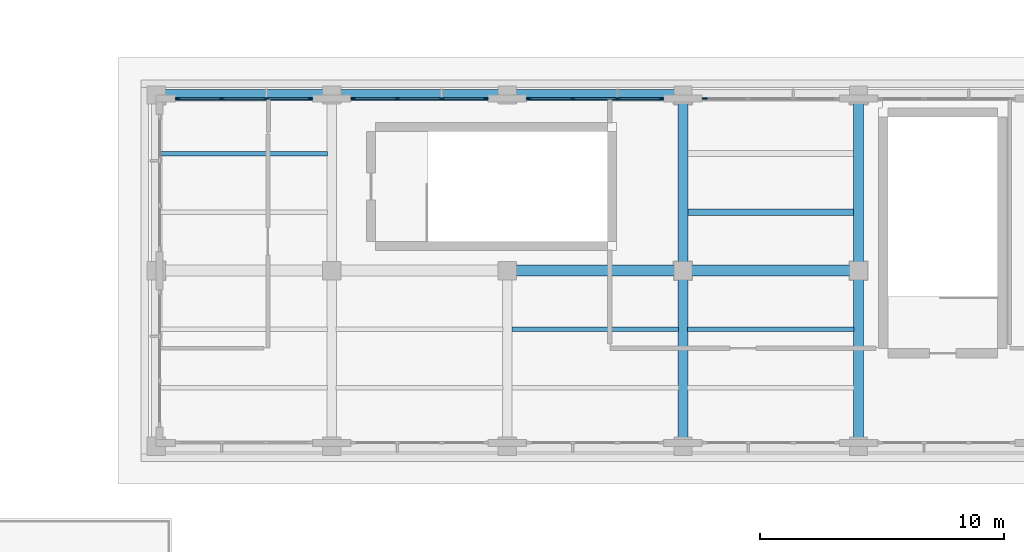
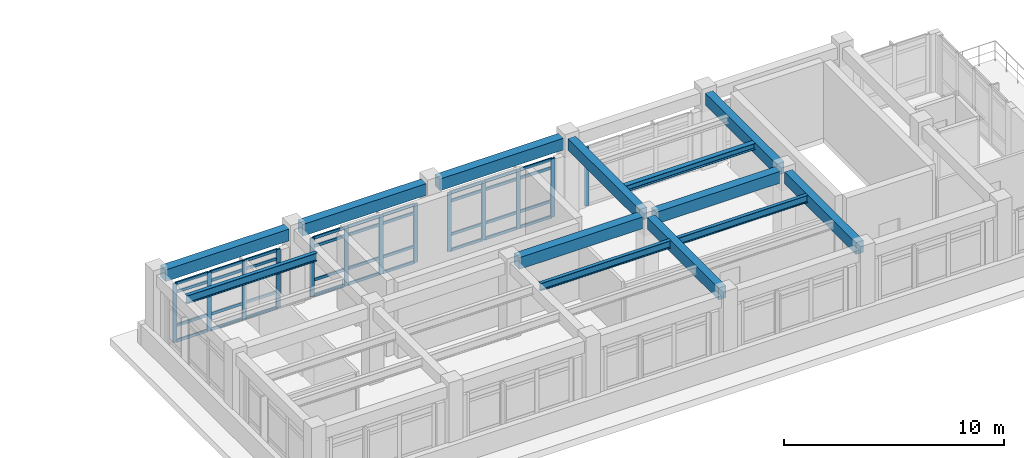
# One storey, part 16 of 64: 49 members, 13 beams, 4 elements without a shape of their own.
"""IFC4 building model written with IfcOpenShell, lengths in metres."""

from ifc_helpers import new_model, si_unit, direction, frame, origin, origin_2d, place, context, subcontext, project, spatial, rectangle, i_section, extrude, material, layer, layer_set, material_profile, profile_set, type_object, element, aggregate, save


model = new_model("IFC4")

# Units and contexts
model_context = context("Model", 3, precision=1e-05, world=origin(), true_north=direction((0.0, 1.0)))
body_context = subcontext(model_context, "Body", "Model", "MODEL_VIEW")
ifc_project = project(units=[si_unit("LENGTHUNIT", "METRE"), si_unit("AREAUNIT", "SQUARE_METRE"), si_unit("VOLUMEUNIT", "CUBIC_METRE"), si_unit("PLANEANGLEUNIT", "RADIAN"), si_unit("MASSUNIT", "GRAM", prefix="KILO")], contexts=[model_context])

# Site, building, storey
site_placement = place(None, origin())
site = spatial("IfcSite", under=ifc_project, at=site_placement, CompositionType="ELEMENT")
building_placement = place(site_placement, origin())
building = spatial("IfcBuilding", under=site, at=building_placement, Name="Solenvale Faculty of Natural Sciences", CompositionType="ELEMENT")
storey_placement = place(building_placement, frame((0.0, 0.0, 18.0)))
storey = spatial("IfcBuildingStorey", under=building, at=storey_placement, Name="L04", CompositionType="ELEMENT", Elevation=18.0)

# Beams
ifc_material_1 = material(Name="Concrete 40 MPa", Category="concrete")
ifc_material_profile_1 = material_profile(ifc_material_1, rectangle(XDim=0.39990234375, YDim=0.64990234375, at=origin_2d()), Name="RC-BM-400x650")
ifc_profile_set_1 = profile_set([ifc_material_profile_1], Name="Concrete 40 MPa")
beam_type_1 = type_object("IfcBeamType", Name="BM-RC-400x650", PredefinedType="BEAM", material=ifc_profile_set_1)
beam_1_placement = place(storey_placement, frame((136.800048828125, 43.554931640625, 3.89501953125), z_axis=(0.0, 1.0, 0.0), x_axis=(-1.0, 0.0, 0.0)))
element("IfcBeam", 1, at=beam_1_placement, inside=storey, type_object=beam_type_1, Name="L04 Y-Girder X136.8 (43.2..50.4)", PredefinedType="BEAM", context=body_context, shape_type="SweptSolid", body=[
    extrude(rectangle(XDim=0.39990234375, YDim=0.64990234375, at=origin_2d()), origin(), (0.0, 0.0, 1.0), 6.489990234375),
])
beam_2_placement = place(storey_placement, frame((136.800048828125, 50.7548828125, 3.89501953125), z_axis=(0.0, 1.0, 0.0), x_axis=(-1.0, 0.0, 0.0)))
element("IfcBeam", 2, at=beam_2_placement, inside=storey, type_object=beam_type_1, Name="L04 Y-Girder X136.8 (50.4..57.6)", PredefinedType="BEAM", context=body_context, shape_type="SweptSolid", body=[
    extrude(rectangle(XDim=0.39990234375, YDim=0.64990234375, at=origin_2d()), origin(), (0.0, 0.0, 1.0), 6.490234375),
])
beam_3_placement = place(storey_placement, frame((144.0, 43.554931640625, 3.89501953125), z_axis=(0.0, 1.0, 0.0), x_axis=(-1.0, 0.0, 0.0)))
element("IfcBeam", 3, at=beam_3_placement, inside=storey, type_object=beam_type_1, Name="L04 Y-Girder X144.0 (43.2..50.4)", PredefinedType="BEAM", context=body_context, shape_type="SweptSolid", body=[
    extrude(rectangle(XDim=0.39990234375, YDim=0.64990234375, at=origin_2d()), origin(), (0.0, 0.0, 1.0), 6.489990234375),
])
beam_4_placement = place(storey_placement, frame((144.0, 50.7548828125, 3.89501953125), z_axis=(0.0, 1.0, 0.0), x_axis=(-1.0, 0.0, 0.0)))
element("IfcBeam", 4, at=beam_4_placement, inside=storey, type_object=beam_type_1, Name="L04 Y-Girder X144.0 (50.4..57.6)", PredefinedType="BEAM", context=body_context, shape_type="SweptSolid", body=[
    extrude(rectangle(XDim=0.39990234375, YDim=0.64990234375, at=origin_2d()), origin(), (0.0, 0.0, 1.0), 6.490234375),
])
ifc_material_profile_2 = material_profile(ifc_material_1, rectangle(XDim=0.449951171875, YDim=0.64990234375, at=origin_2d()), Name="RC-BM-450x650")
ifc_profile_set_2 = profile_set([ifc_material_profile_2], Name="Concrete 40 MPa")
beam_type_2 = type_object("IfcBeamType", Name="BM-RC-450x650", PredefinedType="BEAM", material=ifc_profile_set_2)
for number, where, z_axis, x_axis, name in (
    (5, (129.955078125, 50.39990234375, 3.89501953125), (1.0, 0.0, 0.0), (0.0, 1.0, 0.0), "L04 X-Girder Y50.4 (129.6..136.8)"),
    (6, (137.155029296875, 50.39990234375, 3.89501953125), (1.0, 0.0, 0.0), (0.0, 1.0, 0.0), "L04 X-Girder Y50.4 (136.8..144.0)"),
    (7, (115.554931640625, 57.60009765625, 3.89501953125), (1.0, 0.0, 0.0), (0.0, 1.0, 0.0), "L04 X-Girder Y57.6 (115.2..122.4)"),
):
    element("IfcBeam", number, at=place(storey_placement, frame(where, z_axis=z_axis, x_axis=x_axis)), inside=storey, type_object=beam_type_2, Name=name, PredefinedType="BEAM", context=body_context, shape_type="SweptSolid", body=[
        extrude(rectangle(XDim=0.449951171875, YDim=0.64990234375, at=origin_2d()), origin(), (0.0, 0.0, 1.0), 6.489990234375),
    ])
beam_5_placement = place(storey_placement, frame((122.7548828125, 57.60009765625, 3.89501953125), z_axis=(1.0, 0.0, 0.0), x_axis=(0.0, 1.0, 0.0)))
element("IfcBeam", 8, at=beam_5_placement, inside=storey, type_object=beam_type_2, Name="L04 X-Girder Y57.6 (122.4..129.6)", PredefinedType="BEAM", context=body_context, shape_type="SweptSolid", body=[
    extrude(rectangle(XDim=0.449951171875, YDim=0.64990234375, at=origin_2d()), origin(), (0.0, 0.0, 1.0), 6.490234375),
])
beam_6_placement = place(storey_placement, frame((129.955078125, 57.60009765625, 3.89501953125), z_axis=(1.0, 0.0, 0.0), x_axis=(0.0, 1.0, 0.0)))
element("IfcBeam", 9, at=beam_6_placement, inside=storey, type_object=beam_type_2, Name="L04 X-Girder Y57.6 (129.6..136.8)", PredefinedType="BEAM", context=body_context, shape_type="SweptSolid", body=[
    extrude(rectangle(XDim=0.449951171875, YDim=0.64990234375, at=origin_2d()), origin(), (0.0, 0.0, 1.0), 6.489990234375),
])
ifc_material_2 = material(Name="Steel S355", Category="steel")
ifc_material_profile_3 = material_profile(ifc_material_2, i_section(OverallWidth=0.2548828125, OverallDepth=0.35693359375, WebThickness=0.010498046875, FlangeThickness=0.018310546875, FilletRadius=0.014892578125, at=origin_2d()), Name="W360x101")
ifc_profile_set_3 = profile_set([ifc_material_profile_3], Name="Steel S355")
beam_type_3 = type_object("IfcBeamType", Name="BM-STL-W360x101", PredefinedType="JOIST", material=ifc_profile_set_3)
beam_7_placement = place(storey_placement, frame((136.97998046875, 52.800048828125, 4.04150390625), z_axis=(1.0, 0.0, 0.0), x_axis=(0.0, 1.0, 0.0)))
element("IfcBeam", 10, at=beam_7_placement, inside=storey, type_object=beam_type_3, Name="L04 Composite Floor Joist (20,8).1", PredefinedType="JOIST", context=body_context, shape_type="SweptSolid", body=[
    extrude(i_section(OverallWidth=0.2548828125, OverallDepth=0.35693359375, WebThickness=0.010498046875, FlangeThickness=0.018310546875, FilletRadius=0.014892578125, at=origin_2d()), origin(), (0.0, 0.0, 1.0), 6.840087890625),
])
ifc_material_profile_4 = material_profile(ifc_material_2, i_section(OverallWidth=0.178955078125, OverallDepth=0.409912109375, WebThickness=0.0087890625, FlangeThickness=0.014404296875, FilletRadius=0.01611328125, at=origin_2d()), Name="W410x67")
ifc_profile_set_4 = profile_set([ifc_material_profile_4], Name="Steel S355")
beam_type_4 = type_object("IfcBeamType", Name="BM-STL-W410x67", PredefinedType="JOIST", material=ifc_profile_set_4)
beam_8_placement = place(storey_placement, frame((136.97998046875, 48.0, 4.014892578125), z_axis=(1.0, 0.0, 0.0), x_axis=(0.0, 1.0, 0.0)))
element("IfcBeam", 11, at=beam_8_placement, inside=storey, type_object=beam_type_4, Name="L04 Composite Floor Joist (20,7).2", PredefinedType="JOIST", context=body_context, shape_type="SweptSolid", body=[
    extrude(i_section(OverallWidth=0.178955078125, OverallDepth=0.409912109375, WebThickness=0.0087890625, FlangeThickness=0.014404296875, FilletRadius=0.01611328125, at=origin_2d()), origin(), (0.0, 0.0, 1.0), 6.840087890625),
])
ifc_material_profile_5 = material_profile(ifc_material_2, i_section(OverallWidth=0.180908203125, OverallDepth=0.4169921875, WebThickness=0.010986328125, FlangeThickness=0.018310546875, FilletRadius=0.01611328125, at=origin_2d()), Name="W410x85")
ifc_profile_set_5 = profile_set([ifc_material_profile_5], Name="Steel S355")
beam_type_5 = type_object("IfcBeamType", Name="BM-STL-W410x85", PredefinedType="JOIST", material=ifc_profile_set_5)
beam_9_placement = place(storey_placement, frame((129.780029296875, 48.0, 4.011474609375), z_axis=(1.0, 0.0, 0.0), x_axis=(0.0, 1.0, 0.0)))
element("IfcBeam", 12, at=beam_9_placement, inside=storey, type_object=beam_type_5, Name="L04 Composite Floor Joist (19,7).2", PredefinedType="JOIST", context=body_context, shape_type="SweptSolid", body=[
    extrude(i_section(OverallWidth=0.180908203125, OverallDepth=0.4169921875, WebThickness=0.010986328125, FlangeThickness=0.018310546875, FilletRadius=0.01611328125, at=origin_2d()), origin(), (0.0, 0.0, 1.0), 6.840087890625),
])
ifc_material_profile_6 = material_profile(ifc_material_2, i_section(OverallWidth=0.19091796875, OverallDepth=0.4599609375, WebThickness=0.010009765625, FlangeThickness=0.01611328125, FilletRadius=0.01806640625, at=origin_2d()), Name="W460x82")
ifc_profile_set_6 = profile_set([ifc_material_profile_6], Name="Steel S355")
beam_type_6 = type_object("IfcBeamType", Name="BM-STL-W460x82", PredefinedType="JOIST", material=ifc_profile_set_6)
beam_10_placement = place(storey_placement, frame((115.3798828125, 55.199951171875, 3.989990234375), z_axis=(1.0, 0.0, 0.0), x_axis=(0.0, 1.0, 0.0)))
element("IfcBeam", 13, at=beam_10_placement, inside=storey, type_object=beam_type_6, Name="L04 Composite Floor Joist (17,8).2", PredefinedType="JOIST", context=body_context, shape_type="SweptSolid", body=[
    extrude(i_section(OverallWidth=0.19091796875, OverallDepth=0.4599609375, WebThickness=0.010009765625, FlangeThickness=0.01611328125, FilletRadius=0.01806640625, at=origin_2d()), origin(), (0.0, 0.0, 1.0), 6.840087890625),
])

# Curtain wall, member
ifc_material_3 = material(Name="Anodised bronze aluminium", Category="aluminium")
ifc_layer = layer(ifc_material_3, 0.199951171875)
ifc_layer_set = layer_set([ifc_layer], Name="Anodised bronze aluminium")
curtain_wall_type = type_object("IfcCurtainWallType", Name="CW-COM-FIN", PredefinedType="USERDEFINED", material=ifc_layer_set)
curtain_wall_1_placement = place(storey_placement, origin())
curtain_wall_1 = element("IfcCurtainWall", 14, at=curtain_wall_1_placement, inside=storey, type_object=curtain_wall_type, Name="L04 Curtain Wall CW-L04-P2-E3-B3", ObjectType="UNITISED CURTAIN WALL", PredefinedType="USERDEFINED")
ifc_material_profile_7 = material_profile(ifc_material_3, rectangle(XDim=0.074951171875, YDim=0.2099609375, at=origin_2d()), Name="ALU-MUL-75x210")
ifc_profile_set_7 = profile_set([ifc_material_profile_7], Name="Anodised bronze aluminium")
member_type_1 = type_object("IfcMemberType", Name="CWM-ALU-75x210", PredefinedType="MULLION", material=ifc_profile_set_7)
member_1_placement = place(storey_placement, frame((137.6875, 57.45751953125, 0.0), z_axis=(0.0, 0.0, 1.0), x_axis=(0.0, -1.0, 0.0)))
member_1 = element("IfcMember", 15, at=member_1_placement, type_object=member_type_1, Name="CW-03 mullion 4", PredefinedType="MULLION", context=body_context, shape_type="SweptSolid", body=[
    extrude(rectangle(XDim=0.074951171875, YDim=0.2099609375, at=origin_2d()), origin(), (0.0, 0.0, 1.0), 3.260009765625),
])
aggregate(curtain_wall_1, [member_1])

# Curtain wall, members
curtain_wall_2_placement = place(storey_placement, origin())
curtain_wall_2 = element("IfcCurtainWall", 16, at=curtain_wall_2_placement, inside=storey, type_object=curtain_wall_type, Name="L04 Curtain Wall CW-L04-P2-E3-B4", ObjectType="UNITISED CURTAIN WALL", PredefinedType="USERDEFINED")
member_2_placement = place(storey_placement, frame((135.91259765625, 57.45751953125, 0.0), z_axis=(0.0, 0.0, 1.0), x_axis=(0.0, -1.0, 0.0)))
member_2 = element("IfcMember", 17, at=member_2_placement, type_object=member_type_1, Name="CW-03 mullion 1", PredefinedType="MULLION", context=body_context, shape_type="SweptSolid", body=[
    extrude(rectangle(XDim=0.074951171875, YDim=0.2099609375, at=origin_2d()), origin(), (0.0, 0.0, 1.0), 3.260009765625),
])
member_3_placement = place(storey_placement, frame((134.11669921875, 57.45751953125, 0.0), z_axis=(0.0, 0.0, 1.0), x_axis=(0.0, -1.0, 0.0)))
member_3 = element("IfcMember", 18, at=member_3_placement, type_object=member_type_1, Name="CW-03 mullion 2", PredefinedType="MULLION", context=body_context, shape_type="SweptSolid", body=[
    extrude(rectangle(XDim=0.074951171875, YDim=0.2099609375, at=origin_2d()), origin(), (0.0, 0.0, 1.0), 3.260009765625),
])
member_4_placement = place(storey_placement, frame((132.283447265625, 57.45751953125, 0.0), z_axis=(0.0, 0.0, 1.0), x_axis=(0.0, -1.0, 0.0)))
member_4 = element("IfcMember", 19, at=member_4_placement, type_object=member_type_1, Name="CW-03 mullion 3", PredefinedType="MULLION", context=body_context, shape_type="SweptSolid", body=[
    extrude(rectangle(XDim=0.074951171875, YDim=0.2099609375, at=origin_2d()), origin(), (0.0, 0.0, 1.0), 3.260009765625),
])
member_5_placement = place(storey_placement, frame((130.487548828125, 57.45751953125, 0.0), z_axis=(0.0, 0.0, 1.0), x_axis=(0.0, -1.0, 0.0)))
member_5 = element("IfcMember", 20, at=member_5_placement, type_object=member_type_1, Name="CW-03 mullion 4", PredefinedType="MULLION", context=body_context, shape_type="SweptSolid", body=[
    extrude(rectangle(XDim=0.074951171875, YDim=0.2099609375, at=origin_2d()), origin(), (0.0, 0.0, 1.0), 3.260009765625),
])

curtain_wall_3_placement = place(storey_placement, origin())
curtain_wall_3 = element("IfcCurtainWall", 21, at=curtain_wall_3_placement, inside=storey, type_object=curtain_wall_type, Name="L04 Curtain Wall CW-L04-P2-E3-B5", ObjectType="UNITISED CURTAIN WALL", PredefinedType="USERDEFINED")
member_6_placement = place(storey_placement, frame((128.71240234375, 57.45751953125, 0.0), z_axis=(0.0, 0.0, 1.0), x_axis=(0.0, -1.0, 0.0)))
member_6 = element("IfcMember", 22, at=member_6_placement, type_object=member_type_1, Name="CW-03 mullion 1", PredefinedType="MULLION", context=body_context, shape_type="SweptSolid", body=[
    extrude(rectangle(XDim=0.074951171875, YDim=0.2099609375, at=origin_2d()), origin(), (0.0, 0.0, 1.0), 3.260009765625),
])
member_7_placement = place(storey_placement, frame((126.916748046875, 57.45751953125, 0.0), z_axis=(0.0, 0.0, 1.0), x_axis=(0.0, -1.0, 0.0)))
member_7 = element("IfcMember", 23, at=member_7_placement, type_object=member_type_1, Name="CW-03 mullion 2", PredefinedType="MULLION", context=body_context, shape_type="SweptSolid", body=[
    extrude(rectangle(XDim=0.074951171875, YDim=0.2099609375, at=origin_2d()), origin(), (0.0, 0.0, 1.0), 3.260009765625),
])
member_8_placement = place(storey_placement, frame((125.083251953125, 57.45751953125, 0.0), z_axis=(0.0, 0.0, 1.0), x_axis=(0.0, -1.0, 0.0)))
member_8 = element("IfcMember", 24, at=member_8_placement, type_object=member_type_1, Name="CW-03 mullion 3", PredefinedType="MULLION", context=body_context, shape_type="SweptSolid", body=[
    extrude(rectangle(XDim=0.074951171875, YDim=0.2099609375, at=origin_2d()), origin(), (0.0, 0.0, 1.0), 3.260009765625),
])
member_9_placement = place(storey_placement, frame((123.28759765625, 57.45751953125, 0.0), z_axis=(0.0, 0.0, 1.0), x_axis=(0.0, -1.0, 0.0)))
member_9 = element("IfcMember", 25, at=member_9_placement, type_object=member_type_1, Name="CW-03 mullion 4", PredefinedType="MULLION", context=body_context, shape_type="SweptSolid", body=[
    extrude(rectangle(XDim=0.074951171875, YDim=0.2099609375, at=origin_2d()), origin(), (0.0, 0.0, 1.0), 3.260009765625),
])

curtain_wall_4_placement = place(storey_placement, origin())
curtain_wall_4 = element("IfcCurtainWall", 26, at=curtain_wall_4_placement, inside=storey, type_object=curtain_wall_type, Name="L04 Curtain Wall CW-L04-P2-E3-B6", ObjectType="UNITISED CURTAIN WALL", PredefinedType="USERDEFINED")
member_10_placement = place(storey_placement, frame((121.512451171875, 57.45751953125, 0.0), z_axis=(0.0, 0.0, 1.0), x_axis=(0.0, -1.0, 0.0)))
member_10 = element("IfcMember", 27, at=member_10_placement, type_object=member_type_1, Name="CW-03 mullion 1", PredefinedType="MULLION", context=body_context, shape_type="SweptSolid", body=[
    extrude(rectangle(XDim=0.074951171875, YDim=0.2099609375, at=origin_2d()), origin(), (0.0, 0.0, 1.0), 3.260009765625),
])
member_11_placement = place(storey_placement, frame((119.716552734375, 57.45751953125, 0.0), z_axis=(0.0, 0.0, 1.0), x_axis=(0.0, -1.0, 0.0)))
member_11 = element("IfcMember", 28, at=member_11_placement, type_object=member_type_1, Name="CW-03 mullion 2", PredefinedType="MULLION", context=body_context, shape_type="SweptSolid", body=[
    extrude(rectangle(XDim=0.074951171875, YDim=0.2099609375, at=origin_2d()), origin(), (0.0, 0.0, 1.0), 3.260009765625),
])
member_12_placement = place(storey_placement, frame((117.88330078125, 57.45751953125, 0.0), z_axis=(0.0, 0.0, 1.0), x_axis=(0.0, -1.0, 0.0)))
member_12 = element("IfcMember", 29, at=member_12_placement, type_object=member_type_1, Name="CW-03 mullion 3", PredefinedType="MULLION", context=body_context, shape_type="SweptSolid", body=[
    extrude(rectangle(XDim=0.074951171875, YDim=0.2099609375, at=origin_2d()), origin(), (0.0, 0.0, 1.0), 3.260009765625),
])
member_13_placement = place(storey_placement, frame((116.08740234375, 57.45751953125, 0.0), z_axis=(0.0, 0.0, 1.0), x_axis=(0.0, -1.0, 0.0)))
member_13 = element("IfcMember", 30, at=member_13_placement, type_object=member_type_1, Name="CW-03 mullion 4", PredefinedType="MULLION", context=body_context, shape_type="SweptSolid", body=[
    extrude(rectangle(XDim=0.074951171875, YDim=0.2099609375, at=origin_2d()), origin(), (0.0, 0.0, 1.0), 3.260009765625),
])

# Member
ifc_material_profile_8 = material_profile(ifc_material_3, rectangle(XDim=0.074951171875, YDim=0.155029296875, at=origin_2d()), Name="ALU-TRN-75x155")
ifc_profile_set_8 = profile_set([ifc_material_profile_8], Name="Anodised bronze aluminium")
member_type_2 = type_object("IfcMemberType", Name="CWT-ALU-75x155", PredefinedType="USERDEFINED", material=ifc_profile_set_8)
member_14_placement = place(storey_placement, frame((135.875, 57.45751953125, 0.03759765625), z_axis=(-1.0, 0.0, 0.0), x_axis=(0.0, -1.0, 0.0)))
member_14 = element("IfcMember", 31, at=member_14_placement, type_object=member_type_2, Name="CW-03 transom 1.1", ObjectType="TRANSOM", PredefinedType="USERDEFINED", context=body_context, shape_type="SweptSolid", body=[
    extrude(rectangle(XDim=0.074951171875, YDim=0.155029296875, at=origin_2d()), origin(), (0.0, 0.0, 1.0), 1.720947265625),
])

member_15_placement = place(storey_placement, frame((135.875, 57.45751953125, 0.89990234375), z_axis=(-1.0, 0.0, 0.0), x_axis=(0.0, -1.0, 0.0)))
member_15 = element("IfcMember", 32, at=member_15_placement, type_object=member_type_2, Name="CW-03 transom 1.2", ObjectType="TRANSOM", PredefinedType="USERDEFINED", context=body_context, shape_type="SweptSolid", body=[
    extrude(rectangle(XDim=0.074951171875, YDim=0.155029296875, at=origin_2d()), origin(), (0.0, 0.0, 1.0), 1.720947265625),
])

member_16_placement = place(storey_placement, frame((135.875, 57.45751953125, 2.760009765625), z_axis=(-1.0, 0.0, 0.0), x_axis=(0.0, -1.0, 0.0)))
member_16 = element("IfcMember", 33, at=member_16_placement, type_object=member_type_2, Name="CW-03 transom 1.3", ObjectType="TRANSOM", PredefinedType="USERDEFINED", context=body_context, shape_type="SweptSolid", body=[
    extrude(rectangle(XDim=0.074951171875, YDim=0.155029296875, at=origin_2d()), origin(), (0.0, 0.0, 1.0), 1.720947265625),
])

member_17_placement = place(storey_placement, frame((135.875, 57.45751953125, 3.222412109375), z_axis=(-1.0, 0.0, 0.0), x_axis=(0.0, -1.0, 0.0)))
member_17 = element("IfcMember", 34, at=member_17_placement, type_object=member_type_2, Name="CW-03 transom 1.4", ObjectType="TRANSOM", PredefinedType="USERDEFINED", context=body_context, shape_type="SweptSolid", body=[
    extrude(rectangle(XDim=0.074951171875, YDim=0.155029296875, at=origin_2d()), origin(), (0.0, 0.0, 1.0), 1.720947265625),
])

member_18_placement = place(storey_placement, frame((134.0791015625, 57.45751953125, 0.03759765625), z_axis=(-1.0, 0.0, 0.0), x_axis=(0.0, -1.0, 0.0)))
member_18 = element("IfcMember", 35, at=member_18_placement, type_object=member_type_2, Name="CW-03 transom 2.1", ObjectType="TRANSOM", PredefinedType="USERDEFINED", context=body_context, shape_type="SweptSolid", body=[
    extrude(rectangle(XDim=0.074951171875, YDim=0.155029296875, at=origin_2d()), origin(), (0.0, 0.0, 1.0), 1.75830078125),
])

member_19_placement = place(storey_placement, frame((134.0791015625, 57.45751953125, 0.89990234375), z_axis=(-1.0, 0.0, 0.0), x_axis=(0.0, -1.0, 0.0)))
member_19 = element("IfcMember", 36, at=member_19_placement, type_object=member_type_2, Name="CW-03 transom 2.2", ObjectType="TRANSOM", PredefinedType="USERDEFINED", context=body_context, shape_type="SweptSolid", body=[
    extrude(rectangle(XDim=0.074951171875, YDim=0.155029296875, at=origin_2d()), origin(), (0.0, 0.0, 1.0), 1.75830078125),
])

member_20_placement = place(storey_placement, frame((134.0791015625, 57.45751953125, 2.760009765625), z_axis=(-1.0, 0.0, 0.0), x_axis=(0.0, -1.0, 0.0)))
member_20 = element("IfcMember", 37, at=member_20_placement, type_object=member_type_2, Name="CW-03 transom 2.3", ObjectType="TRANSOM", PredefinedType="USERDEFINED", context=body_context, shape_type="SweptSolid", body=[
    extrude(rectangle(XDim=0.074951171875, YDim=0.155029296875, at=origin_2d()), origin(), (0.0, 0.0, 1.0), 1.75830078125),
])

member_21_placement = place(storey_placement, frame((134.0791015625, 57.45751953125, 3.222412109375), z_axis=(-1.0, 0.0, 0.0), x_axis=(0.0, -1.0, 0.0)))
member_21 = element("IfcMember", 38, at=member_21_placement, type_object=member_type_2, Name="CW-03 transom 2.4", ObjectType="TRANSOM", PredefinedType="USERDEFINED", context=body_context, shape_type="SweptSolid", body=[
    extrude(rectangle(XDim=0.074951171875, YDim=0.155029296875, at=origin_2d()), origin(), (0.0, 0.0, 1.0), 1.75830078125),
])

member_22_placement = place(storey_placement, frame((132.245849609375, 57.45751953125, 0.03759765625), z_axis=(-1.0, 0.0, 0.0), x_axis=(0.0, -1.0, 0.0)))
member_22 = element("IfcMember", 39, at=member_22_placement, type_object=member_type_2, Name="CW-03 transom 3.1", ObjectType="TRANSOM", PredefinedType="USERDEFINED", context=body_context, shape_type="SweptSolid", body=[
    extrude(rectangle(XDim=0.074951171875, YDim=0.155029296875, at=origin_2d()), origin(), (0.0, 0.0, 1.0), 1.720947265625),
])

member_23_placement = place(storey_placement, frame((132.245849609375, 57.45751953125, 0.89990234375), z_axis=(-1.0, 0.0, 0.0), x_axis=(0.0, -1.0, 0.0)))
member_23 = element("IfcMember", 40, at=member_23_placement, type_object=member_type_2, Name="CW-03 transom 3.2", ObjectType="TRANSOM", PredefinedType="USERDEFINED", context=body_context, shape_type="SweptSolid", body=[
    extrude(rectangle(XDim=0.074951171875, YDim=0.155029296875, at=origin_2d()), origin(), (0.0, 0.0, 1.0), 1.720947265625),
])

member_24_placement = place(storey_placement, frame((132.245849609375, 57.45751953125, 2.760009765625), z_axis=(-1.0, 0.0, 0.0), x_axis=(0.0, -1.0, 0.0)))
member_24 = element("IfcMember", 41, at=member_24_placement, type_object=member_type_2, Name="CW-03 transom 3.3", ObjectType="TRANSOM", PredefinedType="USERDEFINED", context=body_context, shape_type="SweptSolid", body=[
    extrude(rectangle(XDim=0.074951171875, YDim=0.155029296875, at=origin_2d()), origin(), (0.0, 0.0, 1.0), 1.720947265625),
])

member_25_placement = place(storey_placement, frame((132.245849609375, 57.45751953125, 3.222412109375), z_axis=(-1.0, 0.0, 0.0), x_axis=(0.0, -1.0, 0.0)))
member_25 = element("IfcMember", 42, at=member_25_placement, type_object=member_type_2, Name="CW-03 transom 3.4", ObjectType="TRANSOM", PredefinedType="USERDEFINED", context=body_context, shape_type="SweptSolid", body=[
    extrude(rectangle(XDim=0.074951171875, YDim=0.155029296875, at=origin_2d()), origin(), (0.0, 0.0, 1.0), 1.720947265625),
])

aggregate(curtain_wall_2, [member_2, member_3, member_4, member_5, member_14, member_15, member_16, member_17, member_18, member_19, member_20, member_21, member_22, member_23, member_24, member_25])

member_26_placement = place(storey_placement, frame((128.675048828125, 57.45751953125, 0.03759765625), z_axis=(-1.0, 0.0, 0.0), x_axis=(0.0, -1.0, 0.0)))
member_26 = element("IfcMember", 43, at=member_26_placement, type_object=member_type_2, Name="CW-03 transom 1.1", ObjectType="TRANSOM", PredefinedType="USERDEFINED", context=body_context, shape_type="SweptSolid", body=[
    extrude(rectangle(XDim=0.074951171875, YDim=0.155029296875, at=origin_2d()), origin(), (0.0, 0.0, 1.0), 1.720947265625),
])

member_27_placement = place(storey_placement, frame((128.675048828125, 57.45751953125, 0.89990234375), z_axis=(-1.0, 0.0, 0.0), x_axis=(0.0, -1.0, 0.0)))
member_27 = element("IfcMember", 44, at=member_27_placement, type_object=member_type_2, Name="CW-03 transom 1.2", ObjectType="TRANSOM", PredefinedType="USERDEFINED", context=body_context, shape_type="SweptSolid", body=[
    extrude(rectangle(XDim=0.074951171875, YDim=0.155029296875, at=origin_2d()), origin(), (0.0, 0.0, 1.0), 1.720947265625),
])

member_28_placement = place(storey_placement, frame((128.675048828125, 57.45751953125, 2.760009765625), z_axis=(-1.0, 0.0, 0.0), x_axis=(0.0, -1.0, 0.0)))
member_28 = element("IfcMember", 45, at=member_28_placement, type_object=member_type_2, Name="CW-03 transom 1.3", ObjectType="TRANSOM", PredefinedType="USERDEFINED", context=body_context, shape_type="SweptSolid", body=[
    extrude(rectangle(XDim=0.074951171875, YDim=0.155029296875, at=origin_2d()), origin(), (0.0, 0.0, 1.0), 1.720947265625),
])

member_29_placement = place(storey_placement, frame((128.675048828125, 57.45751953125, 3.222412109375), z_axis=(-1.0, 0.0, 0.0), x_axis=(0.0, -1.0, 0.0)))
member_29 = element("IfcMember", 46, at=member_29_placement, type_object=member_type_2, Name="CW-03 transom 1.4", ObjectType="TRANSOM", PredefinedType="USERDEFINED", context=body_context, shape_type="SweptSolid", body=[
    extrude(rectangle(XDim=0.074951171875, YDim=0.155029296875, at=origin_2d()), origin(), (0.0, 0.0, 1.0), 1.720947265625),
])

member_30_placement = place(storey_placement, frame((126.879150390625, 57.45751953125, 0.03759765625), z_axis=(-1.0, 0.0, 0.0), x_axis=(0.0, -1.0, 0.0)))
member_30 = element("IfcMember", 47, at=member_30_placement, type_object=member_type_2, Name="CW-03 transom 2.1", ObjectType="TRANSOM", PredefinedType="USERDEFINED", context=body_context, shape_type="SweptSolid", body=[
    extrude(rectangle(XDim=0.074951171875, YDim=0.155029296875, at=origin_2d()), origin(), (0.0, 0.0, 1.0), 1.75830078125),
])

member_31_placement = place(storey_placement, frame((126.879150390625, 57.45751953125, 0.89990234375), z_axis=(-1.0, 0.0, 0.0), x_axis=(0.0, -1.0, 0.0)))
member_31 = element("IfcMember", 48, at=member_31_placement, type_object=member_type_2, Name="CW-03 transom 2.2", ObjectType="TRANSOM", PredefinedType="USERDEFINED", context=body_context, shape_type="SweptSolid", body=[
    extrude(rectangle(XDim=0.074951171875, YDim=0.155029296875, at=origin_2d()), origin(), (0.0, 0.0, 1.0), 1.75830078125),
])

member_32_placement = place(storey_placement, frame((126.879150390625, 57.45751953125, 2.760009765625), z_axis=(-1.0, 0.0, 0.0), x_axis=(0.0, -1.0, 0.0)))
member_32 = element("IfcMember", 49, at=member_32_placement, type_object=member_type_2, Name="CW-03 transom 2.3", ObjectType="TRANSOM", PredefinedType="USERDEFINED", context=body_context, shape_type="SweptSolid", body=[
    extrude(rectangle(XDim=0.074951171875, YDim=0.155029296875, at=origin_2d()), origin(), (0.0, 0.0, 1.0), 1.75830078125),
])

member_33_placement = place(storey_placement, frame((126.879150390625, 57.45751953125, 3.222412109375), z_axis=(-1.0, 0.0, 0.0), x_axis=(0.0, -1.0, 0.0)))
member_33 = element("IfcMember", 50, at=member_33_placement, type_object=member_type_2, Name="CW-03 transom 2.4", ObjectType="TRANSOM", PredefinedType="USERDEFINED", context=body_context, shape_type="SweptSolid", body=[
    extrude(rectangle(XDim=0.074951171875, YDim=0.155029296875, at=origin_2d()), origin(), (0.0, 0.0, 1.0), 1.75830078125),
])

member_34_placement = place(storey_placement, frame((125.0458984375, 57.45751953125, 0.03759765625), z_axis=(-1.0, 0.0, 0.0), x_axis=(0.0, -1.0, 0.0)))
member_34 = element("IfcMember", 51, at=member_34_placement, type_object=member_type_2, Name="CW-03 transom 3.1", ObjectType="TRANSOM", PredefinedType="USERDEFINED", context=body_context, shape_type="SweptSolid", body=[
    extrude(rectangle(XDim=0.074951171875, YDim=0.155029296875, at=origin_2d()), origin(), (0.0, 0.0, 1.0), 1.720947265625),
])

member_35_placement = place(storey_placement, frame((125.0458984375, 57.45751953125, 0.89990234375), z_axis=(-1.0, 0.0, 0.0), x_axis=(0.0, -1.0, 0.0)))
member_35 = element("IfcMember", 52, at=member_35_placement, type_object=member_type_2, Name="CW-03 transom 3.2", ObjectType="TRANSOM", PredefinedType="USERDEFINED", context=body_context, shape_type="SweptSolid", body=[
    extrude(rectangle(XDim=0.074951171875, YDim=0.155029296875, at=origin_2d()), origin(), (0.0, 0.0, 1.0), 1.720947265625),
])

member_36_placement = place(storey_placement, frame((125.0458984375, 57.45751953125, 2.760009765625), z_axis=(-1.0, 0.0, 0.0), x_axis=(0.0, -1.0, 0.0)))
member_36 = element("IfcMember", 53, at=member_36_placement, type_object=member_type_2, Name="CW-03 transom 3.3", ObjectType="TRANSOM", PredefinedType="USERDEFINED", context=body_context, shape_type="SweptSolid", body=[
    extrude(rectangle(XDim=0.074951171875, YDim=0.155029296875, at=origin_2d()), origin(), (0.0, 0.0, 1.0), 1.720947265625),
])

member_37_placement = place(storey_placement, frame((125.0458984375, 57.45751953125, 3.222412109375), z_axis=(-1.0, 0.0, 0.0), x_axis=(0.0, -1.0, 0.0)))
member_37 = element("IfcMember", 54, at=member_37_placement, type_object=member_type_2, Name="CW-03 transom 3.4", ObjectType="TRANSOM", PredefinedType="USERDEFINED", context=body_context, shape_type="SweptSolid", body=[
    extrude(rectangle(XDim=0.074951171875, YDim=0.155029296875, at=origin_2d()), origin(), (0.0, 0.0, 1.0), 1.720947265625),
])

aggregate(curtain_wall_3, [member_6, member_7, member_8, member_9, member_26, member_27, member_28, member_29, member_30, member_31, member_32, member_33, member_34, member_35, member_36, member_37])

member_38_placement = place(storey_placement, frame((121.47509765625, 57.45751953125, 0.03759765625), z_axis=(-1.0, 0.0, 0.0), x_axis=(0.0, -1.0, 0.0)))
member_38 = element("IfcMember", 55, at=member_38_placement, type_object=member_type_2, Name="CW-03 transom 1.1", ObjectType="TRANSOM", PredefinedType="USERDEFINED", context=body_context, shape_type="SweptSolid", body=[
    extrude(rectangle(XDim=0.074951171875, YDim=0.155029296875, at=origin_2d()), origin(), (0.0, 0.0, 1.0), 1.720947265625),
])

member_39_placement = place(storey_placement, frame((121.47509765625, 57.45751953125, 0.89990234375), z_axis=(-1.0, 0.0, 0.0), x_axis=(0.0, -1.0, 0.0)))
member_39 = element("IfcMember", 56, at=member_39_placement, type_object=member_type_2, Name="CW-03 transom 1.2", ObjectType="TRANSOM", PredefinedType="USERDEFINED", context=body_context, shape_type="SweptSolid", body=[
    extrude(rectangle(XDim=0.074951171875, YDim=0.155029296875, at=origin_2d()), origin(), (0.0, 0.0, 1.0), 1.720947265625),
])

member_40_placement = place(storey_placement, frame((121.47509765625, 57.45751953125, 2.760009765625), z_axis=(-1.0, 0.0, 0.0), x_axis=(0.0, -1.0, 0.0)))
member_40 = element("IfcMember", 57, at=member_40_placement, type_object=member_type_2, Name="CW-03 transom 1.3", ObjectType="TRANSOM", PredefinedType="USERDEFINED", context=body_context, shape_type="SweptSolid", body=[
    extrude(rectangle(XDim=0.074951171875, YDim=0.155029296875, at=origin_2d()), origin(), (0.0, 0.0, 1.0), 1.720947265625),
])

member_41_placement = place(storey_placement, frame((121.47509765625, 57.45751953125, 3.222412109375), z_axis=(-1.0, 0.0, 0.0), x_axis=(0.0, -1.0, 0.0)))
member_41 = element("IfcMember", 58, at=member_41_placement, type_object=member_type_2, Name="CW-03 transom 1.4", ObjectType="TRANSOM", PredefinedType="USERDEFINED", context=body_context, shape_type="SweptSolid", body=[
    extrude(rectangle(XDim=0.074951171875, YDim=0.155029296875, at=origin_2d()), origin(), (0.0, 0.0, 1.0), 1.720947265625),
])

member_42_placement = place(storey_placement, frame((119.67919921875, 57.45751953125, 0.03759765625), z_axis=(-1.0, 0.0, 0.0), x_axis=(0.0, -1.0, 0.0)))
member_42 = element("IfcMember", 59, at=member_42_placement, type_object=member_type_2, Name="CW-03 transom 2.1", ObjectType="TRANSOM", PredefinedType="USERDEFINED", context=body_context, shape_type="SweptSolid", body=[
    extrude(rectangle(XDim=0.074951171875, YDim=0.155029296875, at=origin_2d()), origin(), (0.0, 0.0, 1.0), 1.75830078125),
])

member_43_placement = place(storey_placement, frame((119.67919921875, 57.45751953125, 0.89990234375), z_axis=(-1.0, 0.0, 0.0), x_axis=(0.0, -1.0, 0.0)))
member_43 = element("IfcMember", 60, at=member_43_placement, type_object=member_type_2, Name="CW-03 transom 2.2", ObjectType="TRANSOM", PredefinedType="USERDEFINED", context=body_context, shape_type="SweptSolid", body=[
    extrude(rectangle(XDim=0.074951171875, YDim=0.155029296875, at=origin_2d()), origin(), (0.0, 0.0, 1.0), 1.75830078125),
])

member_44_placement = place(storey_placement, frame((119.67919921875, 57.45751953125, 2.760009765625), z_axis=(-1.0, 0.0, 0.0), x_axis=(0.0, -1.0, 0.0)))
member_44 = element("IfcMember", 61, at=member_44_placement, type_object=member_type_2, Name="CW-03 transom 2.3", ObjectType="TRANSOM", PredefinedType="USERDEFINED", context=body_context, shape_type="SweptSolid", body=[
    extrude(rectangle(XDim=0.074951171875, YDim=0.155029296875, at=origin_2d()), origin(), (0.0, 0.0, 1.0), 1.75830078125),
])

member_45_placement = place(storey_placement, frame((119.67919921875, 57.45751953125, 3.222412109375), z_axis=(-1.0, 0.0, 0.0), x_axis=(0.0, -1.0, 0.0)))
member_45 = element("IfcMember", 62, at=member_45_placement, type_object=member_type_2, Name="CW-03 transom 2.4", ObjectType="TRANSOM", PredefinedType="USERDEFINED", context=body_context, shape_type="SweptSolid", body=[
    extrude(rectangle(XDim=0.074951171875, YDim=0.155029296875, at=origin_2d()), origin(), (0.0, 0.0, 1.0), 1.75830078125),
])

member_46_placement = place(storey_placement, frame((117.845947265625, 57.45751953125, 0.03759765625), z_axis=(-1.0, 0.0, 0.0), x_axis=(0.0, -1.0, 0.0)))
member_46 = element("IfcMember", 63, at=member_46_placement, type_object=member_type_2, Name="CW-03 transom 3.1", ObjectType="TRANSOM", PredefinedType="USERDEFINED", context=body_context, shape_type="SweptSolid", body=[
    extrude(rectangle(XDim=0.074951171875, YDim=0.155029296875, at=origin_2d()), origin(), (0.0, 0.0, 1.0), 1.720947265625),
])

member_47_placement = place(storey_placement, frame((117.845947265625, 57.45751953125, 0.89990234375), z_axis=(-1.0, 0.0, 0.0), x_axis=(0.0, -1.0, 0.0)))
member_47 = element("IfcMember", 64, at=member_47_placement, type_object=member_type_2, Name="CW-03 transom 3.2", ObjectType="TRANSOM", PredefinedType="USERDEFINED", context=body_context, shape_type="SweptSolid", body=[
    extrude(rectangle(XDim=0.074951171875, YDim=0.155029296875, at=origin_2d()), origin(), (0.0, 0.0, 1.0), 1.720947265625),
])

member_48_placement = place(storey_placement, frame((117.845947265625, 57.45751953125, 2.760009765625), z_axis=(-1.0, 0.0, 0.0), x_axis=(0.0, -1.0, 0.0)))
member_48 = element("IfcMember", 65, at=member_48_placement, type_object=member_type_2, Name="CW-03 transom 3.3", ObjectType="TRANSOM", PredefinedType="USERDEFINED", context=body_context, shape_type="SweptSolid", body=[
    extrude(rectangle(XDim=0.074951171875, YDim=0.155029296875, at=origin_2d()), origin(), (0.0, 0.0, 1.0), 1.720947265625),
])

member_49_placement = place(storey_placement, frame((117.845947265625, 57.45751953125, 3.222412109375), z_axis=(-1.0, 0.0, 0.0), x_axis=(0.0, -1.0, 0.0)))
member_49 = element("IfcMember", 66, at=member_49_placement, type_object=member_type_2, Name="CW-03 transom 3.4", ObjectType="TRANSOM", PredefinedType="USERDEFINED", context=body_context, shape_type="SweptSolid", body=[
    extrude(rectangle(XDim=0.074951171875, YDim=0.155029296875, at=origin_2d()), origin(), (0.0, 0.0, 1.0), 1.720947265625),
])

aggregate(curtain_wall_4, [member_10, member_11, member_12, member_13, member_38, member_39, member_40, member_41, member_42, member_43, member_44, member_45, member_46, member_47, member_48, member_49])

save(model, "model.ifc")
